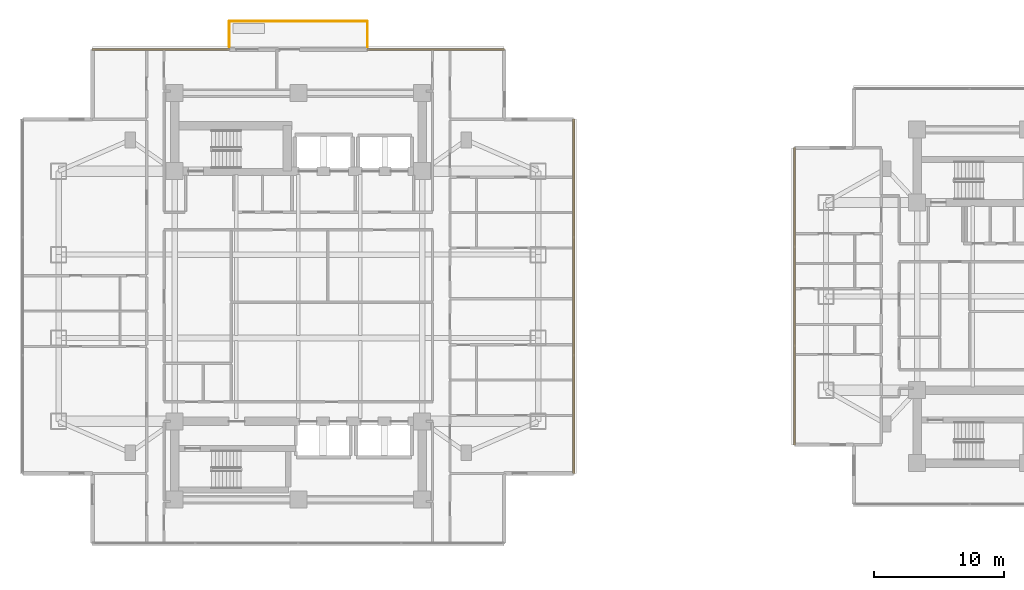
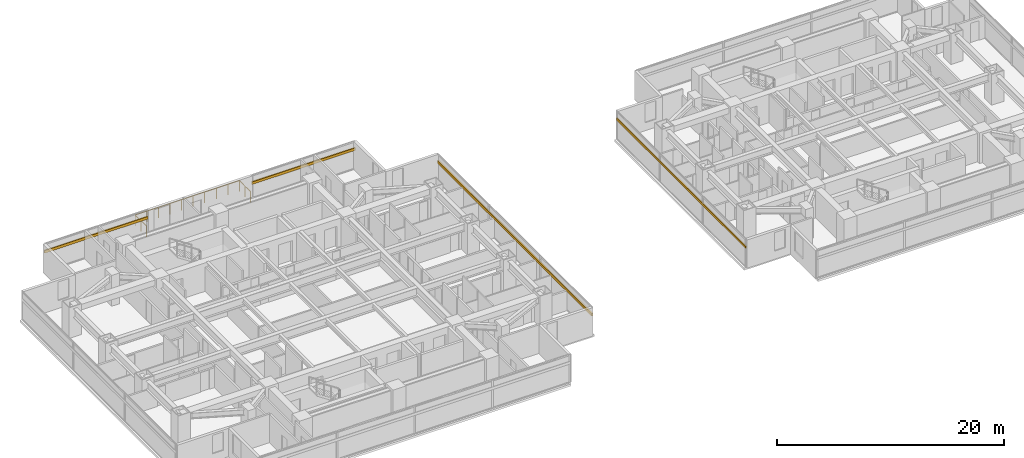
# One storey, part 22 of 25: 4 shading devices, 3 railings.
"""IFC4 building model written with IfcOpenShell, lengths in metres."""

from ifc_helpers import new_model, si_unit, direction, frame, origin, origin_2d, place, context, subcontext, project, spatial, rectangle, circle, extrude, material, material_profile, profile_set, type_object, element, save


model = new_model("IFC4")

# Units and contexts
model_context = context("Model", 3, precision=1e-05, world=origin(), true_north=direction((0.0, 1.0)))
body_context = subcontext(model_context, "Body", "Model", "MODEL_VIEW")
ifc_project = project(units=[si_unit("LENGTHUNIT", "METRE"), si_unit("AREAUNIT", "SQUARE_METRE"), si_unit("VOLUMEUNIT", "CUBIC_METRE"), si_unit("PLANEANGLEUNIT", "RADIAN"), si_unit("MASSUNIT", "GRAM", prefix="KILO")], contexts=[model_context])

# Site, building, storey
site_placement = place(None, origin())
site = spatial("IfcSite", under=ifc_project, at=site_placement, CompositionType="ELEMENT")
building_placement = place(site_placement, origin())
building = spatial("IfcBuilding", under=site, at=building_placement, Name="Mirazonda Arch Towers", CompositionType="ELEMENT")
storey_placement = place(building_placement, frame((0.0, 0.0, 58.699951171875)))
storey = spatial("IfcBuildingStorey", under=building, at=storey_placement, Name="L16", CompositionType="ELEMENT", Elevation=58.699951171875)

# Shading devices
ifc_material_1 = material(Name="Kiln-Fired Architectural Terracotta", Category="masonry")
ifc_material_profile_1 = material_profile(ifc_material_1, rectangle(XDim=0.1201171875, YDim=0.239990234375, at=origin_2d()), Name="TERRA-BAG-120x240")
ifc_profile_set_1 = profile_set([ifc_material_profile_1], Name="Kiln-Fired Architectural Terracotta")
shading_device_type_1 = type_object("IfcShadingDeviceType", Name="BAGUETTE-1", PredefinedType="USERDEFINED", material=ifc_profile_set_1)
shading_device_1_placement = place(storey_placement, frame((58.583984375, 39.396484375, 2.18896484375), z_axis=(0.0, -1.0, 0.0), x_axis=(1.0, 0.0, 0.0)))
element("IfcShadingDevice", 1, at=shading_device_1_placement, inside=storey, type_object=shading_device_type_1, Name="L16 Glazed Terracotta Sun-Screen Baguette CW-L16-T2-W", ObjectType="BAGUETTE", PredefinedType="USERDEFINED", context=body_context, shape_type="SweptSolid", body=[
    extrude(rectangle(XDim=0.1201171875, YDim=0.239990234375, at=origin_2d()), origin(), (0.0, 0.0, 1.0), 22.79296875),
])
ifc_material_profile_2 = material_profile(ifc_material_1, rectangle(XDim=0.139892578125, YDim=0.280029296875, at=origin_2d()), Name="TERRA-BAG-140x280")
ifc_profile_set_2 = profile_set([ifc_material_profile_2], Name="Kiln-Fired Architectural Terracotta")
shading_device_type_2 = type_object("IfcShadingDeviceType", Name="BAGUETTE-3", PredefinedType="USERDEFINED", material=ifc_profile_set_2)
shading_device_2_placement = place(storey_placement, frame((41.639892578125, 14.404052734375, 2.18896484375), z_axis=(0.0, 1.0, 0.0), x_axis=(-1.0, 0.0, 0.0)))
element("IfcShadingDevice", 2, at=shading_device_2_placement, inside=storey, type_object=shading_device_type_2, Name="L16 Glazed Terracotta Sun-Screen Baguette CW-L16-T1-E", ObjectType="BAGUETTE", PredefinedType="USERDEFINED", context=body_context, shape_type="SweptSolid", body=[
    extrude(rectangle(XDim=0.139892578125, YDim=0.280029296875, at=origin_2d()), origin(), (0.0, 0.0, 1.0), 27.19189453125),
])
for number, where, z_axis, x_axis, name in (
    (3, (4.699951171875, 46.93603515625, 2.18896484375), (1.0, 0.0, 0.0), (0.0, 1.0, 0.0), "L16 Glazed Terracotta Sun-Screen Baguette CW-L16-T1-NA"),
    (4, (25.7900390625, 46.93603515625, 2.18896484375), (1.0, 0.0, 0.0), (0.0, 1.0, 0.0), "L16 Glazed Terracotta Sun-Screen Baguette CW-L16-T1-NB"),
):
    element("IfcShadingDevice", number, at=place(storey_placement, frame(where, z_axis=z_axis, x_axis=x_axis)), inside=storey, type_object=shading_device_type_2, Name=name, ObjectType="BAGUETTE", PredefinedType="USERDEFINED", context=body_context, shape_type="SweptSolid", body=[
        extrude(rectangle(XDim=0.139892578125, YDim=0.280029296875, at=origin_2d()), origin(), (0.0, 0.0, 1.0), 10.510009765625),
    ])

# Railings
ifc_material_2 = material(Name="Architectural Brushed Steel S355", Category="steel")
railing_type = type_object("IfcRailingType", Name="GUARD-EXT-1150", PredefinedType="GUARDRAIL", material=ifc_material_2)
railing_1_placement = place(storey_placement, frame((15.199951171875, 47.14599609375, 0.0)))
element("IfcRailing", 5, at=railing_1_placement, inside=storey, type_object=railing_type, Name="L16 T1 Sky-Terrace Guard 01", PredefinedType="GUARDRAIL", context=body_context, shape_type="SweptSolid", body=[
    extrude(circle(Radius=0.02392578125, at=origin_2d()), frame((0.0, 0.0, 1.1259765625), z_axis=(0.0, 1.0, 0.0), x_axis=(-1.0, 0.0, 0.0)), (0.0, 0.0, 1.0), 1.9599609375),
    extrude(circle(Radius=0.02099609375, at=origin_2d()), origin(), (0.0, 0.0, 1.0), 1.101806640625),
    extrude(circle(Radius=0.02099609375, at=origin_2d()), frame((0.0, 0.97998046875, 0.0)), (0.0, 0.0, 1.0), 1.101806640625),
    extrude(circle(Radius=0.02099609375, at=origin_2d()), frame((0.0, 1.9599609375, 0.0)), (0.0, 0.0, 1.0), 1.101806640625),
])
railing_2_placement = place(storey_placement, frame((15.199951171875, 49.10595703125, 0.0)))
element("IfcRailing", 6, at=railing_2_placement, inside=storey, type_object=railing_type, Name="L16 T1 Sky-Terrace Guard 02", PredefinedType="GUARDRAIL", context=body_context, shape_type="SweptSolid", body=[
    extrude(circle(Radius=0.02392578125, at=origin_2d()), frame((0.0, 0.0, 1.1259765625), z_axis=(1.0, 0.0, 0.0), x_axis=(0.0, 1.0, 0.0)), (0.0, 0.0, 1.0), 10.60009765625),
    extrude(circle(Radius=0.02099609375, at=origin_2d()), origin(), (0.0, 0.0, 1.0), 1.101806640625),
    extrude(circle(Radius=0.02099609375, at=origin_2d()), frame((1.177734375, 0.0, 0.0)), (0.0, 0.0, 1.0), 1.101806640625),
    extrude(circle(Radius=0.02099609375, at=origin_2d()), frame((2.35546875, 0.0, 0.0)), (0.0, 0.0, 1.0), 1.101806640625),
    extrude(circle(Radius=0.02099609375, at=origin_2d()), frame((3.533447265625, 0.0, 0.0)), (0.0, 0.0, 1.0), 1.101806640625),
    extrude(circle(Radius=0.02099609375, at=origin_2d()), frame((4.711181640625, 0.0, 0.0)), (0.0, 0.0, 1.0), 1.101806640625),
    extrude(circle(Radius=0.02099609375, at=origin_2d()), frame((5.888916015625, 0.0, 0.0)), (0.0, 0.0, 1.0), 1.101806640625),
    extrude(circle(Radius=0.02099609375, at=origin_2d()), frame((7.066650390625, 0.0, 0.0)), (0.0, 0.0, 1.0), 1.101806640625),
    extrude(circle(Radius=0.02099609375, at=origin_2d()), frame((8.24462890625, 0.0, 0.0)), (0.0, 0.0, 1.0), 1.101806640625),
    extrude(circle(Radius=0.02099609375, at=origin_2d()), frame((9.42236328125, 0.0, 0.0)), (0.0, 0.0, 1.0), 1.101806640625),
    extrude(circle(Radius=0.02099609375, at=origin_2d()), frame((10.60009765625, 0.0, 0.0)), (0.0, 0.0, 1.0), 1.101806640625),
])
railing_3_placement = place(storey_placement, frame((25.800048828125, 49.10595703125, 0.0)))
element("IfcRailing", 7, at=railing_3_placement, inside=storey, type_object=railing_type, Name="L16 T1 Sky-Terrace Guard 03", PredefinedType="GUARDRAIL", context=body_context, shape_type="SweptSolid", body=[
    extrude(circle(Radius=0.02392578125, at=origin_2d()), frame((0.0, 0.0, 1.1259765625), z_axis=(0.0, -1.0, 0.0), x_axis=(1.0, 0.0, 0.0)), (0.0, 0.0, 1.0), 1.9599609375),
    extrude(circle(Radius=0.02099609375, at=origin_2d()), origin(), (0.0, 0.0, 1.0), 1.101806640625),
    extrude(circle(Radius=0.02099609375, at=origin_2d()), frame((0.0, -0.97998046875, 0.0)), (0.0, 0.0, 1.0), 1.101806640625),
    extrude(circle(Radius=0.02099609375, at=origin_2d()), frame((0.0, -1.9599609375, 0.0)), (0.0, 0.0, 1.0), 1.101806640625),
])

save(model, "model.ifc")
